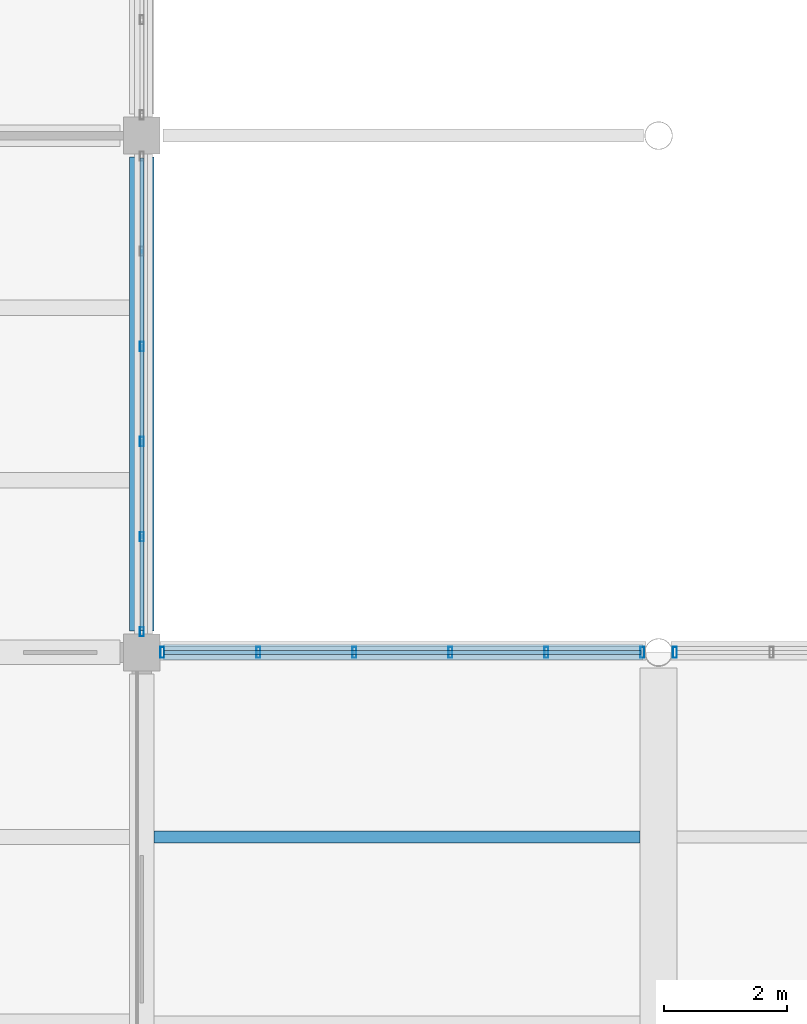
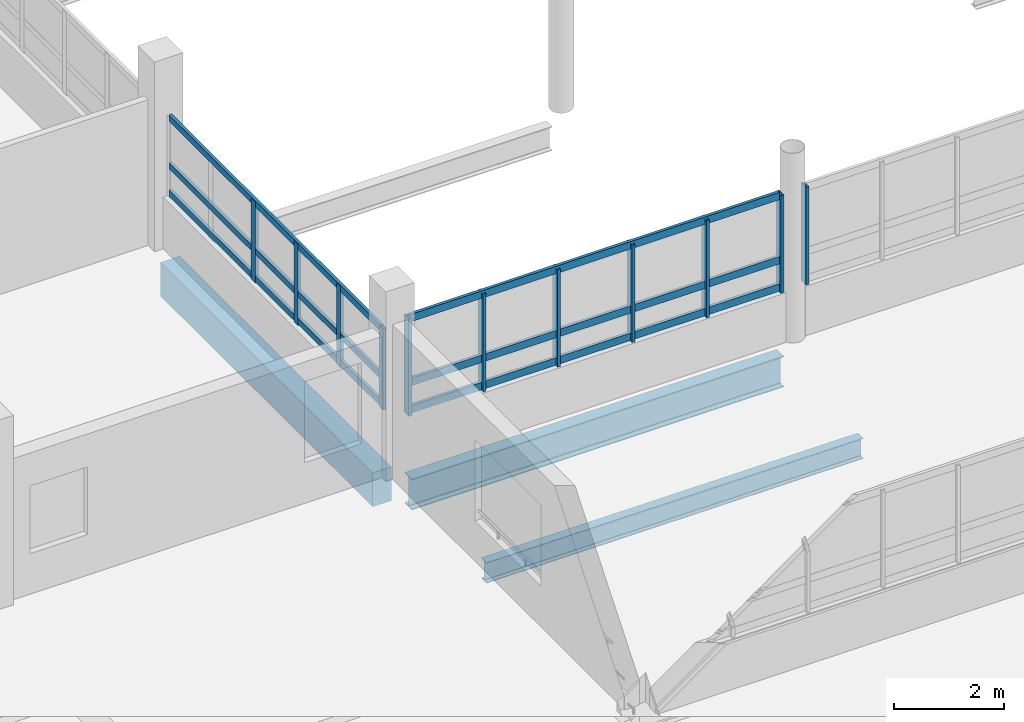
# One storey, part 17 of 101: 17 members, 3 beams, 3 elements without a shape of their own.
"""IFC4 building model written with IfcOpenShell, lengths in metres."""

from ifc_helpers import new_model, si_unit, direction, frame, origin, origin_2d, place, context, subcontext, project, spatial, rectangle, hollow_rectangle, i_section, extrude, material, layer, layer_set, material_profile, profile_set, type_object, element, aggregate, save


model = new_model("IFC4")

# Units and contexts
model_context = context("Model", 3, precision=1e-05, world=origin(), true_north=direction((0.0, 1.0)))
body_context = subcontext(model_context, "Body", "Model", "MODEL_VIEW")
ifc_project = project(units=[si_unit("LENGTHUNIT", "METRE"), si_unit("AREAUNIT", "SQUARE_METRE"), si_unit("VOLUMEUNIT", "CUBIC_METRE"), si_unit("PLANEANGLEUNIT", "RADIAN"), si_unit("MASSUNIT", "GRAM", prefix="KILO")], contexts=[model_context])

# Site, building, storey
site_placement = place(None, origin())
site = spatial("IfcSite", under=ifc_project, at=site_placement, CompositionType="ELEMENT")
building_placement = place(site_placement, origin())
building = spatial("IfcBuilding", under=site, at=building_placement, Name="Vireocrest Preparatory School", CompositionType="ELEMENT")
storey_placement = place(building_placement, frame((0.0, 0.0, 4.800048828125)))
storey = spatial("IfcBuildingStorey", under=building, at=storey_placement, Name="L01", CompositionType="ELEMENT", Elevation=4.800048828125)

# Beams
ifc_material_1 = material(Name="Structural steel ASTM A992 Grade 50", Category="steel")
ifc_material_profile_1 = material_profile(ifc_material_1, i_section(OverallWidth=0.18994140625, OverallDepth=0.45703125, WebThickness=0.009033203125, FlangeThickness=0.014404296875, FilletRadius=0.013916015625, at=origin_2d()), Name="W18X50")
ifc_profile_set_1 = profile_set([ifc_material_profile_1], Name="Structural steel ASTM A992 Grade 50")
beam_type_1 = type_object("IfcBeamType", Name="Bridge Floor Joist W18X50", PredefinedType="JOIST", material=ifc_profile_set_1)
beam_1_placement = place(storey_placement, frame((67.39990234375, 24.0, -0.508544921875), z_axis=(1.0, 0.0, 0.0), x_axis=(0.0, 1.0, 0.0)))
element("IfcBeam", 1, at=beam_1_placement, inside=storey, type_object=beam_type_1, Name="Secondary Joist SJ2 L01-0567", PredefinedType="JOIST", context=body_context, shape_type="SweptSolid", body=[
    extrude(i_section(OverallWidth=0.18994140625, OverallDepth=0.45703125, WebThickness=0.009033203125, FlangeThickness=0.014404296875, FilletRadius=0.013916015625, at=origin_2d()), origin(), (0.0, 0.0, 1.0), 7.900146484375),
])
ifc_material_profile_2 = material_profile(ifc_material_1, i_section(OverallWidth=0.25390625, OverallDepth=0.68408203125, WebThickness=0.012451171875, FlangeThickness=0.018798828125, FilletRadius=0.01806640625, at=origin_2d()), Name="W27X94")
ifc_profile_set_2 = profile_set([ifc_material_profile_2], Name="Structural steel ASTM A992 Grade 50")
beam_type_2 = type_object("IfcBeamType", Name="Bridge Primary Steel Girder W27X94", PredefinedType="BEAM", material=ifc_profile_set_2)
beam_2_placement = place(storey_placement, frame((67.550048828125, 27.0, -0.6220703125), z_axis=(1.0, 0.0, 0.0), x_axis=(0.0, 1.0, 0.0)))
element("IfcBeam", 2, at=beam_2_placement, inside=storey, type_object=beam_type_2, Name="Primary Girder SB1 L01-0278", PredefinedType="BEAM", context=body_context, shape_type="SweptSolid", body=[
    extrude(i_section(OverallWidth=0.25390625, OverallDepth=0.68408203125, WebThickness=0.012451171875, FlangeThickness=0.018798828125, FilletRadius=0.01806640625, at=origin_2d()), origin(), (0.0, 0.0, 1.0), 7.7958984375),
])

# Curtain wall, members
ifc_material_2 = material(Name="Thermally broken aluminium EN AW-6063-T6", Category="aluminium")
ifc_layer_1 = layer(ifc_material_2, 0.179931640625)
ifc_layer_set_1 = layer_set([ifc_layer_1], Name="Thermally broken aluminium EN AW-6063-T6")
curtain_wall_type_1 = type_object("IfcCurtainWallType", Name="Court Banded Curtain Wall 8400x3000", PredefinedType="USERDEFINED", material=ifc_layer_set_1)
curtain_wall_1_placement = place(storey_placement, origin())
curtain_wall_1 = element("IfcCurtainWall", 3, at=curtain_wall_1_placement, inside=storey, type_object=curtain_wall_type_1, Name="Curtain Wall CW02 CW_L01_CW02_0672_0273_060", ObjectType="CURTAIN WALL", PredefinedType="USERDEFINED")
ifc_material_profile_3 = material_profile(ifc_material_2, hollow_rectangle(XDim=0.06494140625, YDim=0.14990234375, WallThickness=0.00390625, at=origin_2d()), Name="ALU 65x150x4")
ifc_profile_set_3 = profile_set([ifc_material_profile_3], Name="Thermally broken aluminium EN AW-6063-T6")
member_type_1 = type_object("IfcMemberType", Name="CW Mullion 65x150x4", PredefinedType="MULLION", material=ifc_profile_set_3)
member_1_placement = place(storey_placement, frame((67.199951171875, 27.3349609375, 1.14990234375), z_axis=(0.0, 0.0, 1.0), x_axis=(1.0, 0.0, 0.0)))
member_1 = element("IfcMember", 4, at=member_1_placement, type_object=member_type_1, Name="CW Mullion ML1 CW_L01_CW02_0672_0273_060-1", PredefinedType="MULLION", context=body_context, shape_type="SweptSolid", body=[
    extrude(hollow_rectangle(XDim=0.06494140625, YDim=0.14990234375, WallThickness=0.00390625, at=origin_2d()), origin(), (0.0, 0.0, 1.0), 1.795166015625),
])
member_2_placement = place(storey_placement, frame((67.199951171875, 28.881103515625, 1.14990234375), z_axis=(0.0, 0.0, 1.0), x_axis=(1.0, 0.0, 0.0)))
member_2 = element("IfcMember", 5, at=member_2_placement, type_object=member_type_1, Name="CW Mullion ML1 CW_L01_CW02_0672_0273_060-2", PredefinedType="MULLION", context=body_context, shape_type="SweptSolid", body=[
    extrude(hollow_rectangle(XDim=0.06494140625, YDim=0.14990234375, WallThickness=0.00390625, at=origin_2d()), origin(), (0.0, 0.0, 1.0), 1.795166015625),
])
member_3_placement = place(storey_placement, frame((67.199951171875, 30.427001953125, 1.14990234375), z_axis=(0.0, 0.0, 1.0), x_axis=(1.0, 0.0, 0.0)))
member_3 = element("IfcMember", 6, at=member_3_placement, type_object=member_type_1, Name="CW Mullion ML1 CW_L01_CW02_0672_0273_060-3", PredefinedType="MULLION", context=body_context, shape_type="SweptSolid", body=[
    extrude(hollow_rectangle(XDim=0.06494140625, YDim=0.14990234375, WallThickness=0.00390625, at=origin_2d()), origin(), (0.0, 0.0, 1.0), 1.795166015625),
])
member_4_placement = place(storey_placement, frame((67.199951171875, 31.972900390625, 1.14990234375), z_axis=(0.0, 0.0, 1.0), x_axis=(1.0, 0.0, 0.0)))
member_4 = element("IfcMember", 7, at=member_4_placement, type_object=member_type_1, Name="CW Mullion ML1 CW_L01_CW02_0672_0273_060-4", PredefinedType="MULLION", context=body_context, shape_type="SweptSolid", body=[
    extrude(hollow_rectangle(XDim=0.06494140625, YDim=0.14990234375, WallThickness=0.00390625, at=origin_2d()), origin(), (0.0, 0.0, 1.0), 1.795166015625),
])

ifc_layer_2 = layer(ifc_material_2, 0.179931640625)
ifc_layer_set_2 = layer_set([ifc_layer_2], Name="Thermally broken aluminium EN AW-6063-T6")
curtain_wall_type_2 = type_object("IfcCurtainWallType", Name="Bridge Link Glazing Wall 9000x3600", PredefinedType="USERDEFINED", material=ifc_layer_set_2)
curtain_wall_2_placement = place(storey_placement, origin())
curtain_wall_2 = element("IfcCurtainWall", 8, at=curtain_wall_2_placement, inside=storey, type_object=curtain_wall_type_2, Name="Curtain Wall CW12 CW_L01_CW12_0675_0270_059", ObjectType="CURTAIN WALL", PredefinedType="USERDEFINED")
ifc_material_profile_4 = material_profile(ifc_material_2, hollow_rectangle(XDim=0.06494140625, YDim=0.179931640625, WallThickness=0.00390625, at=origin_2d()), Name="ALU 65x180x4")
ifc_profile_set_4 = profile_set([ifc_material_profile_4], Name="Thermally broken aluminium EN AW-6063-T6")
member_type_2 = type_object("IfcMemberType", Name="CW Mullion 65x180x4", PredefinedType="MULLION", material=ifc_profile_set_4)
member_5_placement = place(storey_placement, frame((67.534912109375, 27.0, 1.099853515625), z_axis=(0.0, 0.0, 1.0), x_axis=(1.0, 0.0, 0.0)))
member_5 = element("IfcMember", 9, at=member_5_placement, type_object=member_type_2, Name="CW Mullion ML2 CW_L01_CW12_0675_0270_059-1", PredefinedType="MULLION", context=body_context, shape_type="SweptSolid", body=[
    extrude(hollow_rectangle(XDim=0.06494140625, YDim=0.179931640625, WallThickness=0.00390625, at=origin_2d()), origin(), (0.0, 0.0, 1.0), 2.1611328125),
])
member_6_placement = place(storey_placement, frame((69.09521484375, 27.0, 1.099853515625), z_axis=(0.0, 0.0, 1.0), x_axis=(1.0, 0.0, 0.0)))
member_6 = element("IfcMember", 10, at=member_6_placement, type_object=member_type_2, Name="CW Mullion ML2 CW_L01_CW12_0675_0270_059-2", PredefinedType="MULLION", context=body_context, shape_type="SweptSolid", body=[
    extrude(hollow_rectangle(XDim=0.06494140625, YDim=0.179931640625, WallThickness=0.00390625, at=origin_2d()), origin(), (0.0, 0.0, 1.0), 2.1611328125),
])
member_7_placement = place(storey_placement, frame((70.655517578125, 27.0, 1.099853515625), z_axis=(0.0, 0.0, 1.0), x_axis=(1.0, 0.0, 0.0)))
member_7 = element("IfcMember", 11, at=member_7_placement, type_object=member_type_2, Name="CW Mullion ML2 CW_L01_CW12_0675_0270_059-3", PredefinedType="MULLION", context=body_context, shape_type="SweptSolid", body=[
    extrude(hollow_rectangle(XDim=0.06494140625, YDim=0.179931640625, WallThickness=0.00390625, at=origin_2d()), origin(), (0.0, 0.0, 1.0), 2.1611328125),
])
member_8_placement = place(storey_placement, frame((72.2158203125, 27.0, 1.099853515625), z_axis=(0.0, 0.0, 1.0), x_axis=(1.0, 0.0, 0.0)))
member_8 = element("IfcMember", 12, at=member_8_placement, type_object=member_type_2, Name="CW Mullion ML2 CW_L01_CW12_0675_0270_059-4", PredefinedType="MULLION", context=body_context, shape_type="SweptSolid", body=[
    extrude(hollow_rectangle(XDim=0.06494140625, YDim=0.179931640625, WallThickness=0.00390625, at=origin_2d()), origin(), (0.0, 0.0, 1.0), 2.1611328125),
])
member_9_placement = place(storey_placement, frame((73.776123046875, 27.0, 1.099853515625), z_axis=(0.0, 0.0, 1.0), x_axis=(1.0, 0.0, 0.0)))
member_9 = element("IfcMember", 13, at=member_9_placement, type_object=member_type_2, Name="CW Mullion ML2 CW_L01_CW12_0675_0270_059-5", PredefinedType="MULLION", context=body_context, shape_type="SweptSolid", body=[
    extrude(hollow_rectangle(XDim=0.06494140625, YDim=0.179931640625, WallThickness=0.00390625, at=origin_2d()), origin(), (0.0, 0.0, 1.0), 2.1611328125),
])
member_10_placement = place(storey_placement, frame((75.33642578125, 27.0, 1.099853515625), z_axis=(0.0, 0.0, 1.0), x_axis=(1.0, 0.0, 0.0)))
member_10 = element("IfcMember", 14, at=member_10_placement, type_object=member_type_2, Name="CW Mullion ML2 CW_L01_CW12_0675_0270_059-6", PredefinedType="MULLION", context=body_context, shape_type="SweptSolid", body=[
    extrude(hollow_rectangle(XDim=0.06494140625, YDim=0.179931640625, WallThickness=0.00390625, at=origin_2d()), origin(), (0.0, 0.0, 1.0), 2.1611328125),
])

# Curtain wall, member
curtain_wall_3_placement = place(storey_placement, origin())
curtain_wall_3 = element("IfcCurtainWall", 15, at=curtain_wall_3_placement, inside=storey, type_object=curtain_wall_type_2, Name="Curtain Wall CW12 CW_L01_CW12_0758_0270_059", ObjectType="CURTAIN WALL", PredefinedType="USERDEFINED")
member_11_placement = place(storey_placement, frame((75.863525390625, 27.0, 1.099853515625), z_axis=(0.0, 0.0, 1.0), x_axis=(1.0, 0.0, 0.0)))
member_11 = element("IfcMember", 16, at=member_11_placement, type_object=member_type_2, Name="CW Mullion ML2 CW_L01_CW12_0758_0270_059-1", PredefinedType="MULLION", context=body_context, shape_type="SweptSolid", body=[
    extrude(hollow_rectangle(XDim=0.06494140625, YDim=0.179931640625, WallThickness=0.00390625, at=origin_2d()), origin(), (0.0, 0.0, 1.0), 2.1611328125),
])
aggregate(curtain_wall_3, [member_11])

# Member
ifc_material_profile_5 = material_profile(ifc_material_2, hollow_rectangle(XDim=0.06494140625, YDim=0.139892578125, WallThickness=0.00390625, at=origin_2d()), Name="ALU 65x140x4")
ifc_profile_set_5 = profile_set([ifc_material_profile_5], Name="Thermally broken aluminium EN AW-6063-T6")
member_type_3 = type_object("IfcMemberType", Name="CW Transom 65x140x4", PredefinedType="USERDEFINED", material=ifc_profile_set_5)
member_12_placement = place(storey_placement, frame((67.199951171875, 27.360107421875, 1.244873046875), z_axis=(0.0, 1.0, 0.0), x_axis=(-1.0, 0.0, 0.0)))
member_12 = element("IfcMember", 17, at=member_12_placement, type_object=member_type_3, Name="CW Transom TR1 CW_L01_CW02_0672_0273_060-1", ObjectType="TRANSOM", PredefinedType="USERDEFINED", context=body_context, shape_type="SweptSolid", body=[
    extrude(hollow_rectangle(XDim=0.06494140625, YDim=0.139892578125, WallThickness=0.00390625, at=origin_2d()), origin(), (0.0, 0.0, 1.0), 7.679931640625),
])

member_13_placement = place(storey_placement, frame((67.199951171875, 27.360107421875, 1.849853515625), z_axis=(0.0, 1.0, 0.0), x_axis=(-1.0, 0.0, 0.0)))
member_13 = element("IfcMember", 18, at=member_13_placement, type_object=member_type_3, Name="CW Transom TR1 CW_L01_CW02_0672_0273_060-2", ObjectType="TRANSOM", PredefinedType="USERDEFINED", context=body_context, shape_type="SweptSolid", body=[
    extrude(hollow_rectangle(XDim=0.06494140625, YDim=0.139892578125, WallThickness=0.00390625, at=origin_2d()), origin(), (0.0, 0.0, 1.0), 7.679931640625),
])

member_14_placement = place(storey_placement, frame((67.199951171875, 27.360107421875, 2.905029296875), z_axis=(0.0, 1.0, 0.0), x_axis=(-1.0, 0.0, 0.0)))
member_14 = element("IfcMember", 19, at=member_14_placement, type_object=member_type_3, Name="CW Transom TR1 CW_L01_CW02_0672_0273_060-3", ObjectType="TRANSOM", PredefinedType="USERDEFINED", context=body_context, shape_type="SweptSolid", body=[
    extrude(hollow_rectangle(XDim=0.06494140625, YDim=0.139892578125, WallThickness=0.00390625, at=origin_2d()), origin(), (0.0, 0.0, 1.0), 7.679931640625),
])

aggregate(curtain_wall_1, [member_1, member_2, member_3, member_4, member_12, member_13, member_14])

ifc_material_profile_6 = material_profile(ifc_material_2, hollow_rectangle(XDim=0.06494140625, YDim=0.1650390625, WallThickness=0.00390625, at=origin_2d()), Name="ALU 65x165x4")
ifc_profile_set_6 = profile_set([ifc_material_profile_6], Name="Thermally broken aluminium EN AW-6063-T6")
member_type_4 = type_object("IfcMemberType", Name="CW Transom 65x165x4", PredefinedType="USERDEFINED", material=ifc_profile_set_6)
member_15_placement = place(storey_placement, frame((67.56005859375, 27.0, 1.195068359375), z_axis=(1.0, 0.0, 0.0), x_axis=(0.0, 1.0, 0.0)))
member_15 = element("IfcMember", 20, at=member_15_placement, type_object=member_type_4, Name="CW Transom TR2 CW_L01_CW12_0675_0270_059-1", ObjectType="TRANSOM", PredefinedType="USERDEFINED", context=body_context, shape_type="SweptSolid", body=[
    extrude(hollow_rectangle(XDim=0.06494140625, YDim=0.1650390625, WallThickness=0.00390625, at=origin_2d()), origin(), (0.0, 0.0, 1.0), 7.751220703125),
])

member_16_placement = place(storey_placement, frame((67.56005859375, 27.0, 1.800048828125), z_axis=(1.0, 0.0, 0.0), x_axis=(0.0, 1.0, 0.0)))
member_16 = element("IfcMember", 21, at=member_16_placement, type_object=member_type_4, Name="CW Transom TR2 CW_L01_CW12_0675_0270_059-2", ObjectType="TRANSOM", PredefinedType="USERDEFINED", context=body_context, shape_type="SweptSolid", body=[
    extrude(hollow_rectangle(XDim=0.06494140625, YDim=0.1650390625, WallThickness=0.00390625, at=origin_2d()), origin(), (0.0, 0.0, 1.0), 7.751220703125),
])

member_17_placement = place(storey_placement, frame((67.56005859375, 27.0, 3.220947265625), z_axis=(1.0, 0.0, 0.0), x_axis=(0.0, 1.0, 0.0)))
member_17 = element("IfcMember", 22, at=member_17_placement, type_object=member_type_4, Name="CW Transom TR2 CW_L01_CW12_0675_0270_059-3", ObjectType="TRANSOM", PredefinedType="USERDEFINED", context=body_context, shape_type="SweptSolid", body=[
    extrude(hollow_rectangle(XDim=0.06494140625, YDim=0.1650390625, WallThickness=0.00390625, at=origin_2d()), origin(), (0.0, 0.0, 1.0), 7.751220703125),
])

aggregate(curtain_wall_2, [member_5, member_6, member_7, member_8, member_9, member_10, member_15, member_16, member_17])

# Beam
ifc_material_3 = material(Name="Concrete 40 MPa", Category="concrete")
ifc_material_profile_7 = material_profile(ifc_material_3, rectangle(XDim=0.39990234375, YDim=0.75, at=origin_2d()), Name="RC 400x750")
ifc_profile_set_7 = profile_set([ifc_material_profile_7], Name="Concrete 40 MPa")
beam_type_3 = type_object("IfcBeamType", Name="RC Commons Girder 400x750", PredefinedType="BEAM", material=ifc_profile_set_7)
beam_3_placement = place(storey_placement, frame((67.199951171875, 27.35009765625, -0.614990234375), z_axis=(0.0, 1.0, 0.0), x_axis=(-1.0, 0.0, 0.0)))
element("IfcBeam", 23, at=beam_3_placement, inside=storey, type_object=beam_type_3, Name="Primary Girder B09 L01-0416", PredefinedType="BEAM", context=body_context, shape_type="SweptSolid", body=[
    extrude(rectangle(XDim=0.39990234375, YDim=0.75, at=origin_2d()), origin(), (0.0, 0.0, 1.0), 7.699951171875),
])

save(model, "model.ifc")
